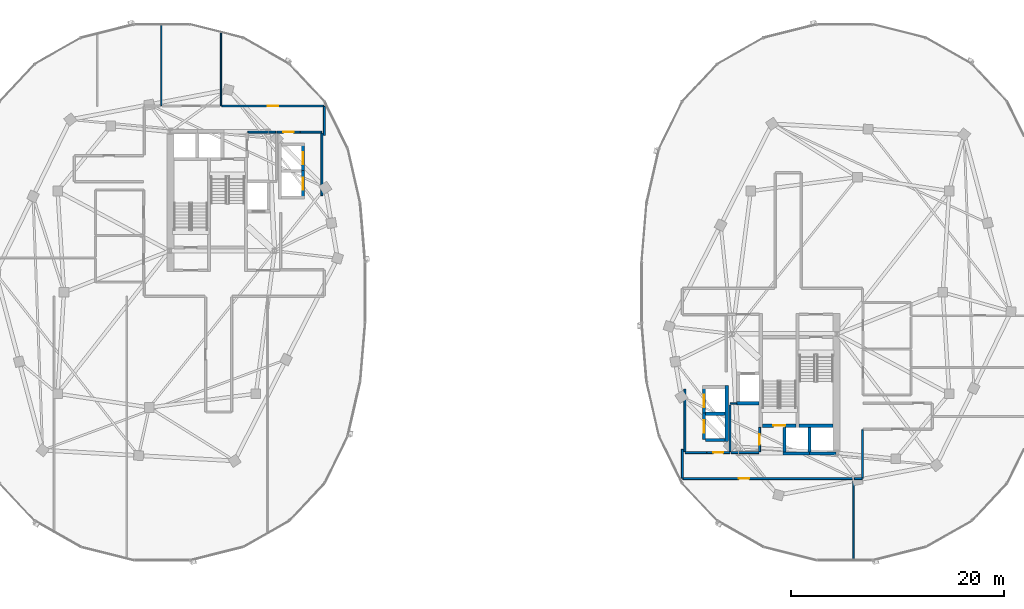
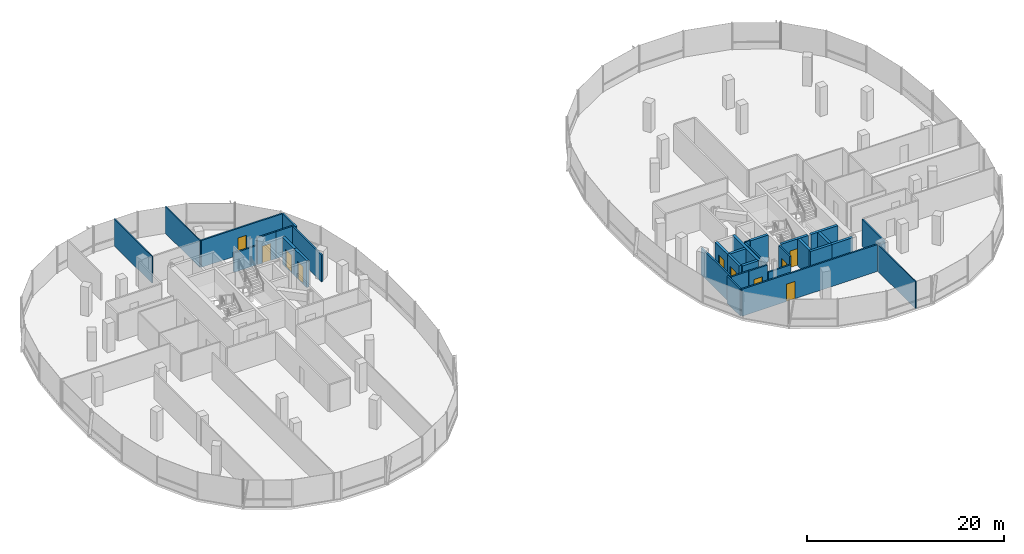
# One storey, part 16 of 25: 34 walls, 10 doors, 10 openings.
"""IFC4 building model written with IfcOpenShell, lengths in metres."""

from ifc_helpers import new_model, si_unit, direction, frame, frame_2d, origin, place, context, subcontext, project, spatial, rectangle, extrude, material, layer, layer_set, type_object, element, fill, save


model = new_model("IFC4")

# Units and contexts
model_context = context("Model", 3, precision=1e-05, world=origin(), true_north=direction((0.0, 1.0)))
body_context = subcontext(model_context, "Body", "Model", "MODEL_VIEW")
ifc_project = project(units=[si_unit("LENGTHUNIT", "METRE"), si_unit("AREAUNIT", "SQUARE_METRE"), si_unit("VOLUMEUNIT", "CUBIC_METRE"), si_unit("PLANEANGLEUNIT", "RADIAN"), si_unit("MASSUNIT", "GRAM", prefix="KILO"), si_unit("THERMODYNAMICTEMPERATUREUNIT", "KELVIN"), si_unit("POWERUNIT", "WATT")], contexts=[model_context])

# Site, building, storey
site_placement = place(None, origin())
site = spatial("IfcSite", under=ifc_project, at=site_placement, CompositionType="ELEMENT")
building_placement = place(site_placement, origin())
building = spatial("IfcBuilding", under=site, at=building_placement, Name="Cundina Bronze Exchange", CompositionType="ELEMENT")
storey_placement = place(building_placement, frame((0.0, 0.0, 191.800048828125)))
storey = spatial("IfcBuildingStorey", under=building, at=storey_placement, Name="L50", CompositionType="ELEMENT", Elevation=191.800048828125)

# Wall
ifc_material_1 = material(Name="Gypsum Fireboard Partition EI120")
ifc_layer_1 = layer(ifc_material_1, 0.179931640625, Name="Gypsum Fireboard Partition EI120")
ifc_layer_set_1 = layer_set([ifc_layer_1], Name="Gypsum Fireboard Partition EI120")
wall_type_1 = type_object("IfcWallType", Name="WL-COR-180", PredefinedType="PARTITIONING", material=ifc_layer_set_1)
wall_1_placement = place(storey_placement, frame((-17.02001953125, 9.070068359375, 0.0), z_axis=(0.0, 0.0, 1.0), x_axis=(0.0, 1.0, 0.0)))
element("IfcWall", 1, at=wall_1_placement, inside=storey, type_object=wall_type_1, Name="L50 Interior Partition 001", PredefinedType="PARTITIONING", context=body_context, shape_type="SweptSolid", body=[
    extrude(rectangle(XDim=5.85986328125, YDim=0.179931640625, at=frame_2d((2.929931640625, 0.0))), origin(), (0.0, 0.0, 1.0), 3.33984375),
])

# Wall, opening, door
wall_2_placement = place(storey_placement, frame((-21.22998046875, 15.030029296875, 0.0), z_axis=(0.0, 0.0, 1.0), x_axis=(1.0, 0.0, 0.0)))
wall_2 = element("IfcWall", 2, at=wall_2_placement, inside=storey, type_object=wall_type_1, Name="L50 Interior Partition 002", PredefinedType="PARTITIONING", context=body_context, shape_type="SweptSolid", body=[
    extrude(rectangle(XDim=2.159912109375, YDim=0.179931640625, at=frame_2d((1.080078125, 0.0))), origin(), (0.0, 0.0, 1.0), 3.33984375),
])
opening_1_placement = place(wall_2_placement, frame((0.60498046875, 0.0, 0.0)))
opening_1 = element("IfcOpeningElement", 3, at=opening_1_placement, cuts=wall_2, Name="Opening DW-01", PredefinedType="OPENING", context=body_context, shape_type="SweptSolid", body=[
    extrude(rectangle(XDim=0.949951171875, YDim=2.10009765625, at=frame_2d((0.47509765625, 1.050048828125))), frame((0.0, 0.099853515625, 0.0), z_axis=(0.0, -1.0, 0.0), x_axis=(1.0, 0.0, 0.0)), (0.0, 0.0, 1.0), 0.199951171875),
])
ifc_material_2 = material(Name="Solid Andean Oak Timber Grade A", Category="wood")
door_type_1 = type_object("IfcDoorType", Name="DR-WC-950", OperationType="NOTDEFINED", PredefinedType="DOOR", material=ifc_material_2)
door_1_placement = place(opening_1_placement, origin())
door_1 = element("IfcDoor", 4, at=door_1_placement, inside=storey, type_object=door_type_1, Name="L50 Interior Door 002", OperationType="SINGLE_SWING_LEFT", OverallHeight=2.10009765625, OverallWidth=0.949951171875, PredefinedType="DOOR", context=body_context, shape_type="SweptSolid", body=[
    extrude(rectangle(XDim=0.949951171875, YDim=2.10009765625, at=frame_2d((0.47509765625, 1.050048828125))), frame((0.0, 0.02490234375, 0.0), z_axis=(0.0, -1.0, 0.0), x_axis=(1.0, 0.0, 0.0)), (0.0, 0.0, 1.0), 0.050048828125),
])
fill(opening_1, door_1)

# Walls
wall_3_placement = place(storey_placement, frame((-19.030029296875, 15.030029296875, 0.0), z_axis=(0.0, 0.0, 1.0), x_axis=(1.0, 0.0, 0.0)))
element("IfcWall", 5, at=wall_3_placement, inside=storey, type_object=wall_type_1, Name="L50 Interior Partition 003", PredefinedType="PARTITIONING", context=body_context, shape_type="SweptSolid", body=[
    extrude(rectangle(XDim=1.989990234375, YDim=0.179931640625, at=frame_2d((0.9951171875, 0.0))), origin(), (0.0, 0.0, 1.0), 3.33984375),
])
wall_4_placement = place(storey_placement, frame((-23.9599609375, 15.030029296875, 0.0), z_axis=(0.0, 0.0, 1.0), x_axis=(1.0, 0.0, 0.0)))
element("IfcWall", 6, at=wall_4_placement, inside=storey, type_object=wall_type_1, Name="L50 Interior Partition 006", PredefinedType="PARTITIONING", context=body_context, shape_type="SweptSolid", body=[
    extrude(rectangle(XDim=2.60986328125, YDim=0.179931640625, at=frame_2d((1.304931640625, 0.0))), origin(), (0.0, 0.0, 1.0), 2.412841796875),
])

# Wall, opening, door
wall_5_placement = place(storey_placement, frame((-16.821533203125, 17.469970703125, 0.0), z_axis=(0.0, 0.0, 1.0), x_axis=(-1.0, 0.0, 0.0)))
wall_5 = element("IfcWall", 7, at=wall_5_placement, inside=storey, type_object=wall_type_1, Name="L50 Interior Partition 029", PredefinedType="PARTITIONING", context=body_context, shape_type="SweptSolid", body=[
    extrude(rectangle(XDim=9.568359375, YDim=0.179931640625, at=frame_2d((4.7841796875, 0.0))), origin(), (0.0, 0.0, 1.0), 3.33984375),
])
opening_2_placement = place(wall_5_placement, frame((4.2841796875, 0.0, 0.0)))
opening_2 = element("IfcOpeningElement", 8, at=opening_2_placement, cuts=wall_5, Name="Opening DO-01", PredefinedType="OPENING", context=body_context, shape_type="SweptSolid", body=[
    extrude(rectangle(XDim=1.0, YDim=2.14990234375, at=frame_2d((0.5, 1.074951171875))), frame((0.0, 0.099853515625, 0.0), z_axis=(0.0, -1.0, 0.0), x_axis=(1.0, 0.0, 0.0)), (0.0, 0.0, 1.0), 0.199951171875),
])
door_type_2 = type_object("IfcDoorType", Name="DR-OFF-1000", OperationType="NOTDEFINED", PredefinedType="DOOR", material=ifc_material_2)
door_2_placement = place(opening_2_placement, origin())
door_2 = element("IfcDoor", 9, at=door_2_placement, inside=storey, type_object=door_type_2, Name="L50 Interior Door 029", OperationType="SINGLE_SWING_RIGHT", OverallHeight=2.14990234375, OverallWidth=1.0, PredefinedType="DOOR", context=body_context, shape_type="SweptSolid", body=[
    extrude(rectangle(XDim=1.0, YDim=2.14990234375, at=frame_2d((0.5, 1.074951171875))), frame((0.0, 0.02490234375, 0.0), z_axis=(0.0, -1.0, 0.0), x_axis=(1.0, 0.0, 0.0)), (0.0, 0.0, 1.0), 0.050048828125),
])
fill(opening_2, door_2)

# Walls
wall_6_placement = place(storey_placement, frame((-16.780029296875, 14.721435546875, 0.0), z_axis=(0.0, 0.0, 1.0), x_axis=(0.0, 1.0, 0.0)))
element("IfcWall", 10, at=wall_6_placement, inside=storey, type_object=wall_type_1, Name="L50 Interior Partition 032", PredefinedType="PARTITIONING", context=body_context, shape_type="SweptSolid", body=[
    extrude(rectangle(XDim=2.70703125, YDim=0.179931640625, at=frame_2d((1.353515625, 0.0))), origin(), (0.0, 0.0, 1.0), 3.33984375),
])
wall_7_placement = place(storey_placement, frame((17.02001953125, -14.929931640625, 0.0), z_axis=(0.0, 0.0, 1.0), x_axis=(0.0, 1.0, 0.0)))
element("IfcWall", 11, at=wall_7_placement, inside=storey, type_object=wall_type_1, Name="L50 Interior Partition 040", PredefinedType="PARTITIONING", context=body_context, shape_type="SweptSolid", body=[
    extrude(rectangle(XDim=5.85986328125, YDim=0.179931640625, at=frame_2d((2.929931640625, 0.0))), origin(), (0.0, 0.0, 1.0), 3.33984375),
])
wall_8_placement = place(storey_placement, frame((17.0400390625, -15.030029296875, 0.0), z_axis=(0.0, 0.0, 1.0), x_axis=(1.0, 0.0, 0.0)))
element("IfcWall", 12, at=wall_8_placement, inside=storey, type_object=wall_type_1, Name="L50 Interior Partition 041", PredefinedType="PARTITIONING", context=body_context, shape_type="SweptSolid", body=[
    extrude(rectangle(XDim=1.989990234375, YDim=0.179931640625, at=frame_2d((0.9951171875, 0.0))), origin(), (0.0, 0.0, 1.0), 3.33984375),
])

# Wall, opening, door
wall_9_placement = place(storey_placement, frame((21.22998046875, -15.030029296875, 0.0), z_axis=(0.0, 0.0, 1.0), x_axis=(-1.0, 0.0, 0.0)))
wall_9 = element("IfcWall", 13, at=wall_9_placement, inside=storey, type_object=wall_type_1, Name="L50 Interior Partition 042", PredefinedType="PARTITIONING", context=body_context, shape_type="SweptSolid", body=[
    extrude(rectangle(XDim=2.159912109375, YDim=0.179931640625, at=frame_2d((1.080078125, 0.0))), origin(), (0.0, 0.0, 1.0), 3.33984375),
])
opening_3_placement = place(wall_9_placement, frame((0.60498046875, 0.0, 0.0)))
opening_3 = element("IfcOpeningElement", 14, at=opening_3_placement, cuts=wall_9, Name="Opening DW-01", PredefinedType="OPENING", context=body_context, shape_type="SweptSolid", body=[
    extrude(rectangle(XDim=0.949951171875, YDim=2.10009765625, at=frame_2d((0.47509765625, 1.050048828125))), frame((0.0, 0.099853515625, 0.0), z_axis=(0.0, -1.0, 0.0), x_axis=(1.0, 0.0, 0.0)), (0.0, 0.0, 1.0), 0.199951171875),
])
door_3_placement = place(opening_3_placement, origin())
door_3 = element("IfcDoor", 15, at=door_3_placement, inside=storey, type_object=door_type_1, Name="L50 Interior Door 042", OperationType="SINGLE_SWING_RIGHT", OverallHeight=2.10009765625, OverallWidth=0.949951171875, PredefinedType="DOOR", context=body_context, shape_type="SweptSolid", body=[
    extrude(rectangle(XDim=0.949951171875, YDim=2.10009765625, at=frame_2d((0.47509765625, 1.050048828125))), frame((0.0, 0.02490234375, 0.0), z_axis=(0.0, -1.0, 0.0), x_axis=(1.0, 0.0, 0.0)), (0.0, 0.0, 1.0), 0.050048828125),
])
fill(opening_3, door_3)

# Walls
wall_10_placement = place(storey_placement, frame((21.25, -14.929931640625, 0.0), z_axis=(0.0, 0.0, 1.0), x_axis=(0.0, 1.0, 0.0)))
element("IfcWall", 16, at=wall_10_placement, inside=storey, type_object=wall_type_1, Name="L50 Interior Partition 044", PredefinedType="PARTITIONING", context=body_context, shape_type="SweptSolid", body=[
    extrude(rectangle(XDim=4.35986328125, YDim=0.179931640625, at=frame_2d((2.179931640625, 0.0))), origin(), (0.0, 0.0, 1.0), 3.33984375),
])
wall_11_placement = place(storey_placement, frame((21.35009765625, -15.030029296875, 0.0), z_axis=(0.0, 0.0, 1.0), x_axis=(1.0, 0.0, 0.0)))
element("IfcWall", 17, at=wall_11_placement, inside=storey, type_object=wall_type_1, Name="L50 Interior Partition 045", PredefinedType="PARTITIONING", context=body_context, shape_type="SweptSolid", body=[
    extrude(rectangle(XDim=2.60986328125, YDim=0.179931640625, at=frame_2d((1.304931640625, 0.0))), origin(), (0.0, 0.0, 1.0), 2.412841796875),
])

# Wall, opening, door
wall_12_placement = place(storey_placement, frame((24.02001953125, -14.929931640625, 0.0), z_axis=(0.0, 0.0, 1.0), x_axis=(0.0, 1.0, 0.0)))
wall_12 = element("IfcWall", 18, at=wall_12_placement, inside=storey, type_object=wall_type_1, Name="L50 Interior Partition 046", PredefinedType="PARTITIONING", context=body_context, shape_type="SweptSolid", body=[
    extrude(rectangle(XDim=2.260009765625, YDim=0.179931640625, at=frame_2d((1.1298828125, 0.0))), origin(), (0.0, 0.0, 1.0), 3.33984375),
])
opening_4_placement = place(wall_12_placement, frame((0.655029296875, 0.0, 0.0)))
opening_4 = element("IfcOpeningElement", 19, at=opening_4_placement, cuts=wall_12, Name="Opening DW-01", PredefinedType="OPENING", context=body_context, shape_type="SweptSolid", body=[
    extrude(rectangle(XDim=0.949951171875, YDim=2.10009765625, at=frame_2d((0.47509765625, 1.050048828125))), frame((0.0, 0.099853515625, 0.0), z_axis=(0.0, -1.0, 0.0), x_axis=(1.0, 0.0, 0.0)), (0.0, 0.0, 1.0), 0.199951171875),
])
door_4_placement = place(opening_4_placement, origin())
door_4 = element("IfcDoor", 20, at=door_4_placement, inside=storey, type_object=door_type_1, Name="L50 Interior Door 046", OperationType="SINGLE_SWING_RIGHT", OverallHeight=2.10009765625, OverallWidth=0.949951171875, PredefinedType="DOOR", context=body_context, shape_type="SweptSolid", body=[
    extrude(rectangle(XDim=0.949951171875, YDim=2.10009765625, at=frame_2d((0.47509765625, 1.050048828125))), frame((0.0, 0.02490234375, 0.0), z_axis=(0.0, -1.0, 0.0), x_axis=(1.0, 0.0, 0.0)), (0.0, 0.0, 1.0), 0.050048828125),
])
fill(opening_4, door_4)

# Walls
wall_13_placement = place(storey_placement, frame((33.669921875, -17.428466796875, 0.0), z_axis=(0.0, 0.0, 1.0), x_axis=(0.0, 1.0, 0.0)))
element("IfcWall", 21, at=wall_13_placement, inside=storey, type_object=wall_type_1, Name="L50 Interior Partition 060", PredefinedType="PARTITIONING", context=body_context, shape_type="SweptSolid", body=[
    extrude(rectangle(XDim=4.528564453125, YDim=0.179931640625, at=frame_2d((2.26416015625, 0.0))), origin(), (0.0, 0.0, 1.0), 3.33984375),
])
wall_14_placement = place(storey_placement, frame((32.909912109375, -17.469970703125, 0.0), z_axis=(0.0, 0.0, 1.0), x_axis=(1.0, 0.0, 0.0)))
element("IfcWall", 22, at=wall_14_placement, inside=storey, type_object=wall_type_1, Name="L50 Interior Partition 062", PredefinedType="PARTITIONING", context=body_context, shape_type="SweptSolid", body=[
    extrude(rectangle(XDim=0.718505859375, YDim=0.179931640625, at=frame_2d((0.359375, 0.0))), origin(), (0.0, 0.0, 1.0), 3.33984375),
])

# Wall, opening, door
wall_15_placement = place(storey_placement, frame((16.821533203125, -17.469970703125, 0.0), z_axis=(0.0, 0.0, 1.0), x_axis=(1.0, 0.0, 0.0)))
wall_15 = element("IfcWall", 23, at=wall_15_placement, inside=storey, type_object=wall_type_1, Name="L50 Interior Partition 065", PredefinedType="PARTITIONING", context=body_context, shape_type="SweptSolid", body=[
    extrude(rectangle(XDim=15.908447265625, YDim=0.179931640625, at=frame_2d((7.9541015625, 0.0))), origin(), (0.0, 0.0, 1.0), 3.33984375),
])
opening_5_placement = place(wall_15_placement, frame((5.25390625, 0.0, 0.0)))
opening_5 = element("IfcOpeningElement", 24, at=opening_5_placement, cuts=wall_15, Name="Opening DO-01", PredefinedType="OPENING", context=body_context, shape_type="SweptSolid", body=[
    extrude(rectangle(XDim=1.0, YDim=2.14990234375, at=frame_2d((0.5, 1.074951171875))), frame((0.0, 0.099853515625, 0.0), z_axis=(0.0, -1.0, 0.0), x_axis=(1.0, 0.0, 0.0)), (0.0, 0.0, 1.0), 0.199951171875),
])
door_5_placement = place(opening_5_placement, origin())
door_5 = element("IfcDoor", 25, at=door_5_placement, inside=storey, type_object=door_type_2, Name="L50 Interior Door 065", OperationType="SINGLE_SWING_LEFT", OverallHeight=2.14990234375, OverallWidth=1.0, PredefinedType="DOOR", context=body_context, shape_type="SweptSolid", body=[
    extrude(rectangle(XDim=1.0, YDim=2.14990234375, at=frame_2d((0.5, 1.074951171875))), frame((0.0, 0.02490234375, 0.0), z_axis=(0.0, -1.0, 0.0), x_axis=(1.0, 0.0, 0.0)), (0.0, 0.0, 1.0), 0.050048828125),
])
fill(opening_5, door_5)

# Walls
wall_16_placement = place(storey_placement, frame((16.780029296875, -14.721435546875, 0.0), z_axis=(0.0, 0.0, 1.0), x_axis=(0.0, -1.0, 0.0)))
element("IfcWall", 26, at=wall_16_placement, inside=storey, type_object=wall_type_1, Name="L50 Interior Partition 071", PredefinedType="PARTITIONING", context=body_context, shape_type="SweptSolid", body=[
    extrude(rectangle(XDim=2.70703125, YDim=0.179931640625, at=frame_2d((1.353515625, 0.0))), origin(), (0.0, 0.0, 1.0), 3.33984375),
])
ifc_material_3 = material(Name="Gypsum Acoustic Partition EI60")
ifc_layer_2 = layer(ifc_material_3, 0.125, Name="Gypsum Acoustic Partition EI60")
ifc_layer_set_2 = layer_set([ifc_layer_2], Name="Gypsum Acoustic Partition EI60")
wall_type_2 = type_object("IfcWallType", Name="WL-OFF-125", PredefinedType="PARTITIONING", material=ifc_layer_set_2)
wall_17_placement = place(storey_placement, frame((-32.080078125, 17.5, 0.0), z_axis=(0.0, 0.0, 1.0), x_axis=(0.0, 1.0, 0.0)))
element("IfcWall", 27, at=wall_17_placement, inside=storey, type_object=wall_type_2, Name="L50 Interior Partition 021", PredefinedType="PARTITIONING", context=body_context, shape_type="SweptSolid", body=[
    extrude(rectangle(XDim=7.68994140625, YDim=0.125, at=frame_2d((3.844970703125, 0.0))), origin(), (0.0, 0.0, 1.0), 3.33984375),
])
wall_18_placement = place(storey_placement, frame((-26.47998046875, 17.5, 0.0), z_axis=(0.0, 0.0, 1.0), x_axis=(0.0, 1.0, 0.0)))
element("IfcWall", 28, at=wall_18_placement, inside=storey, type_object=wall_type_2, Name="L50 Interior Partition 022", PredefinedType="PARTITIONING", context=body_context, shape_type="SweptSolid", body=[
    extrude(rectangle(XDim=6.961181640625, YDim=0.125, at=frame_2d((3.48046875, 0.0))), origin(), (0.0, 0.0, 1.0), 3.33984375),
])
wall_19_placement = place(storey_placement, frame((32.820068359375, -25.18994140625, 0.0), z_axis=(0.0, 0.0, 1.0), x_axis=(0.0, 1.0, 0.0)))
element("IfcWall", 29, at=wall_19_placement, inside=storey, type_object=wall_type_2, Name="L50 Interior Partition 058", PredefinedType="PARTITIONING", context=body_context, shape_type="SweptSolid", body=[
    extrude(rectangle(XDim=7.68994140625, YDim=0.125, at=frame_2d((3.844970703125, 0.0))), origin(), (0.0, 0.0, 1.0), 3.33984375),
])

# Wall, opening, door
ifc_material_4 = material(Name="Concrete C50/60", Category="concrete")
ifc_layer_3 = layer(ifc_material_4, 0.300048828125, Name="Concrete C50/60", Category="concrete")
ifc_layer_set_3 = layer_set([ifc_layer_3], Name="Concrete C50/60")
wall_type_3 = type_object("IfcWallType", Name="WL-SHFT-300", PredefinedType="SHEAR", material=ifc_layer_set_3)
wall_20_placement = place(storey_placement, frame((-18.800048828125, 8.929931640625, 0.0), z_axis=(0.0, 0.0, 1.0), x_axis=(0.0, 1.0, 0.0)))
wall_20 = element("IfcWall", 30, at=wall_20_placement, inside=storey, type_object=wall_type_3, Name="L50 PM-W2 Hoistway Front Wall", PredefinedType="SHEAR", context=body_context, shape_type="SweptSolid", body=[
    extrude(rectangle(XDim=2.489990234375, YDim=0.300048828125, at=frame_2d((1.2451171875, 0.0))), origin(), (0.0, 0.0, 1.0), 3.33984375),
])
opening_6_placement = place(wall_20_placement, frame((0.669921875, 0.0, 0.0)))
opening_6 = element("IfcOpeningElement", 31, at=opening_6_placement, cuts=wall_20, Name="Opening LD-01", PredefinedType="OPENING", context=body_context, shape_type="SweptSolid", body=[
    extrude(rectangle(XDim=1.14990234375, YDim=2.199951171875, at=frame_2d((0.574951171875, 1.10009765625))), frame((0.0, 0.159912109375, 0.0), z_axis=(0.0, -1.0, 0.0), x_axis=(1.0, 0.0, 0.0)), (0.0, 0.0, 1.0), 0.320068359375),
])
ifc_material_5 = material(Name="Steel ASTM A36 Painted", Category="steel")
door_type_3 = type_object("IfcDoorType", Name="DR-LND-1150", OperationType="NOTDEFINED", PredefinedType="TRAPDOOR", material=ifc_material_5)
door_6_placement = place(opening_6_placement, origin())
door_6 = element("IfcDoor", 32, at=door_6_placement, inside=storey, type_object=door_type_3, Name="L50 PM-W2 Sliding Landing Door", OperationType="SLIDING_TO_LEFT", OverallHeight=2.199951171875, OverallWidth=1.14990234375, PredefinedType="TRAPDOOR", context=body_context, shape_type="SweptSolid", body=[
    extrude(rectangle(XDim=1.14990234375, YDim=2.199951171875, at=frame_2d((0.574951171875, 1.10009765625))), frame((0.0, 0.02490234375, 0.0), z_axis=(0.0, -1.0, 0.0), x_axis=(1.0, 0.0, 0.0)), (0.0, 0.0, 1.0), 0.050048828125),
])
fill(opening_6, door_6)

wall_21_placement = place(storey_placement, frame((-18.800048828125, 11.330078125, 0.0), z_axis=(0.0, 0.0, 1.0), x_axis=(0.0, 1.0, 0.0)))
wall_21 = element("IfcWall", 33, at=wall_21_placement, inside=storey, type_object=wall_type_3, Name="L50 PM-W1 Hoistway Front Wall", PredefinedType="SHEAR", context=body_context, shape_type="SweptSolid", body=[
    extrude(rectangle(XDim=2.489990234375, YDim=0.300048828125, at=frame_2d((1.2451171875, 0.0))), origin(), (0.0, 0.0, 1.0), 3.33984375),
])
opening_7_placement = place(wall_21_placement, frame((0.669921875, 0.0, 0.0)))
opening_7 = element("IfcOpeningElement", 34, at=opening_7_placement, cuts=wall_21, Name="Opening LD-01", PredefinedType="OPENING", context=body_context, shape_type="SweptSolid", body=[
    extrude(rectangle(XDim=1.14990234375, YDim=2.199951171875, at=frame_2d((0.574951171875, 1.10009765625))), frame((0.0, 0.159912109375, 0.0), z_axis=(0.0, -1.0, 0.0), x_axis=(1.0, 0.0, 0.0)), (0.0, 0.0, 1.0), 0.320068359375),
])
door_7_placement = place(opening_7_placement, origin())
door_7 = element("IfcDoor", 35, at=door_7_placement, inside=storey, type_object=door_type_3, Name="L50 PM-W1 Sliding Landing Door", OperationType="SLIDING_TO_LEFT", OverallHeight=2.199951171875, OverallWidth=1.14990234375, PredefinedType="TRAPDOOR", context=body_context, shape_type="SweptSolid", body=[
    extrude(rectangle(XDim=1.14990234375, YDim=2.199951171875, at=frame_2d((0.574951171875, 1.10009765625))), frame((0.0, 0.02490234375, 0.0), z_axis=(0.0, -1.0, 0.0), x_axis=(1.0, 0.0, 0.0)), (0.0, 0.0, 1.0), 0.050048828125),
])
fill(opening_7, door_7)

# Wall
wall_22_placement = place(storey_placement, frame((27.739990234375, -12.5, 0.0), z_axis=(0.0, 0.0, 1.0), x_axis=(1.0, 0.0, 0.0)))
element("IfcWall", 36, at=wall_22_placement, inside=storey, type_object=wall_type_3, Name="L50 Stair E1 Far Shaft Wall", PredefinedType="SHEAR", context=body_context, shape_type="SweptSolid", body=[
    extrude(rectangle(XDim=3.159912109375, YDim=0.300048828125, at=frame_2d((1.580078125, 0.0))), origin(), (0.0, 0.0, 1.0), 3.33984375),
])

# Wall, opening, door
wall_23_placement = place(storey_placement, frame((24.280029296875, -12.5, 0.0), z_axis=(0.0, 0.0, 1.0), x_axis=(1.0, 0.0, 0.0)))
wall_23 = element("IfcWall", 37, at=wall_23_placement, inside=storey, type_object=wall_type_3, Name="L50 Stair E2 Landing Wall", PredefinedType="SHEAR", context=body_context, shape_type="SweptSolid", body=[
    extrude(rectangle(XDim=3.159912109375, YDim=0.300048828125, at=frame_2d((1.580078125, 0.0))), origin(), (0.0, 0.0, 1.0), 3.33984375),
])
opening_8_placement = place(wall_23_placement, frame((1.030029296875, 0.0, 0.0)))
opening_8 = element("IfcOpeningElement", 38, at=opening_8_placement, cuts=wall_23, Name="Opening DS-01", PredefinedType="OPENING", context=body_context, shape_type="SweptSolid", body=[
    extrude(rectangle(XDim=1.10009765625, YDim=2.14990234375, at=frame_2d((0.550048828125, 1.074951171875))), frame((0.0, 0.159912109375, 0.0), z_axis=(0.0, -1.0, 0.0), x_axis=(1.0, 0.0, 0.0)), (0.0, 0.0, 1.0), 0.320068359375),
])
door_type_4 = type_object("IfcDoorType", Name="DR-STR-1100", OperationType="NOTDEFINED", PredefinedType="DOOR", material=ifc_material_5)
door_8_placement = place(opening_8_placement, origin())
door_8 = element("IfcDoor", 39, at=door_8_placement, inside=storey, type_object=door_type_4, Name="L50 Smokeproof Stair E2 Door", OperationType="SINGLE_SWING_RIGHT", OverallHeight=2.14990234375, OverallWidth=1.10009765625, PredefinedType="DOOR", context=body_context, shape_type="SweptSolid", body=[
    extrude(rectangle(XDim=1.10009765625, YDim=2.14990234375, at=frame_2d((0.550048828125, 1.074951171875))), frame((0.0, 0.02490234375, 0.0), z_axis=(0.0, -1.0, 0.0), x_axis=(1.0, 0.0, 0.0)), (0.0, 0.0, 1.0), 0.050048828125),
])
fill(opening_8, door_8)

# Walls
wall_24_placement = place(storey_placement, frame((21.8798828125, -10.39990234375, 0.0), z_axis=(0.0, 0.0, 1.0), x_axis=(1.0, 0.0, 0.0)))
element("IfcWall", 40, at=wall_24_placement, inside=storey, type_object=wall_type_3, Name="L50 FFL-E Hoistway Back Wall", PredefinedType="SHEAR", context=body_context, shape_type="SweptSolid", body=[
    extrude(rectangle(XDim=2.10009765625, YDim=0.300048828125, at=frame_2d((1.050048828125, 0.0))), origin(), (0.0, 0.0, 1.0), 3.33984375),
])
wall_25_placement = place(storey_placement, frame((28.699951171875, -15.10009765625, 0.0), z_axis=(0.0, 0.0, 1.0), x_axis=(1.0, 0.0, 0.0)))
element("IfcWall", 41, at=wall_25_placement, inside=storey, type_object=wall_type_3, Name="L50 PH-E1 Hoistway Front Wall", PredefinedType="SHEAR", context=body_context, shape_type="SweptSolid", body=[
    extrude(rectangle(XDim=2.5, YDim=0.300048828125, at=frame_2d((1.25, 0.0))), origin(), (0.0, 0.0, 1.0), 3.33984375),
])
wall_26_placement = place(storey_placement, frame((28.699951171875, -14.949951171875, 0.0), z_axis=(0.0, 0.0, 1.0), x_axis=(0.0, 1.0, 0.0)))
element("IfcWall", 42, at=wall_26_placement, inside=storey, type_object=wall_type_3, Name="L50 PH-E1 Hoistway Divider Wall", PredefinedType="SHEAR", context=body_context, shape_type="SweptSolid", body=[
    extrude(rectangle(XDim=2.300048828125, YDim=0.300048828125, at=frame_2d((1.14990234375, 0.0))), origin(), (0.0, 0.0, 1.0), 3.33984375),
])
wall_27_placement = place(storey_placement, frame((26.199951171875, -15.10009765625, 0.0), z_axis=(0.0, 0.0, 1.0), x_axis=(1.0, 0.0, 0.0)))
element("IfcWall", 43, at=wall_27_placement, inside=storey, type_object=wall_type_3, Name="L50 PH-E2 Hoistway Front Wall", PredefinedType="SHEAR", context=body_context, shape_type="SweptSolid", body=[
    extrude(rectangle(XDim=2.5, YDim=0.300048828125, at=frame_2d((1.25, 0.0))), origin(), (0.0, 0.0, 1.0), 3.33984375),
])
wall_28_placement = place(storey_placement, frame((26.35009765625, -14.949951171875, 0.0), z_axis=(0.0, 0.0, 1.0), x_axis=(0.0, 1.0, 0.0)))
element("IfcWall", 44, at=wall_28_placement, inside=storey, type_object=wall_type_3, Name="L50 PH-E2 Hoistway Divider Wall", PredefinedType="SHEAR", context=body_context, shape_type="SweptSolid", body=[
    extrude(rectangle(XDim=2.300048828125, YDim=0.300048828125, at=frame_2d((1.14990234375, 0.0))), origin(), (0.0, 0.0, 1.0), 3.33984375),
])
wall_29_placement = place(storey_placement, frame((20.949951171875, -14.0, 0.0), z_axis=(0.0, 0.0, 1.0), x_axis=(0.0, 1.0, 0.0)))
element("IfcWall", 45, at=wall_29_placement, inside=storey, type_object=wall_type_3, Name="L50 E Passenger Bank Hoistway Back Wall", PredefinedType="SHEAR", context=body_context, shape_type="SweptSolid", body=[
    extrude(rectangle(XDim=5.25, YDim=0.300048828125, at=frame_2d((2.625, 0.0))), origin(), (0.0, 0.0, 1.0), 3.33984375),
])
for number, where, z_axis, x_axis, name in (
    (46, (18.949951171875, -13.85009765625, 0.0), (0.0, 0.0, 1.0), (1.0, 0.0, 0.0), "L50 E Passenger Bank South Cap Wall"),
    (47, (18.949951171875, -11.375, 0.0), (0.0, 0.0, 1.0), (1.0, 0.0, 0.0), "L50 E Passenger Hoistway Divider 1"),
):
    element("IfcWall", number, at=place(storey_placement, frame(where, z_axis=z_axis, x_axis=x_axis)), inside=storey, type_object=wall_type_3, Name=name, PredefinedType="SHEAR", context=body_context, shape_type="SweptSolid", body=[
        extrude(rectangle(XDim=1.85009765625, YDim=0.300048828125, at=frame_2d((0.925048828125, 0.0))), origin(), (0.0, 0.0, 1.0), 3.33984375),
    ])

# Wall, opening, door
wall_30_placement = place(storey_placement, frame((18.800048828125, -13.820068359375, 0.0), z_axis=(0.0, 0.0, 1.0), x_axis=(0.0, 1.0, 0.0)))
wall_30 = element("IfcWall", 48, at=wall_30_placement, inside=storey, type_object=wall_type_3, Name="L50 PM-E1 Hoistway Front Wall", PredefinedType="SHEAR", context=body_context, shape_type="SweptSolid", body=[
    extrude(rectangle(XDim=2.489990234375, YDim=0.300048828125, at=frame_2d((1.2451171875, 0.0))), origin(), (0.0, 0.0, 1.0), 3.33984375),
])
opening_9_placement = place(wall_30_placement, frame((0.669921875, 0.0, 0.0)))
opening_9 = element("IfcOpeningElement", 49, at=opening_9_placement, cuts=wall_30, Name="Opening LD-01", PredefinedType="OPENING", context=body_context, shape_type="SweptSolid", body=[
    extrude(rectangle(XDim=1.14990234375, YDim=2.199951171875, at=frame_2d((0.574951171875, 1.10009765625))), frame((0.0, 0.159912109375, 0.0), z_axis=(0.0, -1.0, 0.0), x_axis=(1.0, 0.0, 0.0)), (0.0, 0.0, 1.0), 0.320068359375),
])
door_9_placement = place(opening_9_placement, origin())
door_9 = element("IfcDoor", 50, at=door_9_placement, inside=storey, type_object=door_type_3, Name="L50 PM-E1 Sliding Landing Door", OperationType="SLIDING_TO_LEFT", OverallHeight=2.199951171875, OverallWidth=1.14990234375, PredefinedType="TRAPDOOR", context=body_context, shape_type="SweptSolid", body=[
    extrude(rectangle(XDim=1.14990234375, YDim=2.199951171875, at=frame_2d((0.574951171875, 1.10009765625))), frame((0.0, 0.02490234375, 0.0), z_axis=(0.0, -1.0, 0.0), x_axis=(1.0, 0.0, 0.0)), (0.0, 0.0, 1.0), 0.050048828125),
])
fill(opening_9, door_9)

wall_31_placement = place(storey_placement, frame((18.800048828125, -11.419921875, 0.0), z_axis=(0.0, 0.0, 1.0), x_axis=(0.0, 1.0, 0.0)))
wall_31 = element("IfcWall", 51, at=wall_31_placement, inside=storey, type_object=wall_type_3, Name="L50 PM-E2 Hoistway Front Wall", PredefinedType="SHEAR", context=body_context, shape_type="SweptSolid", body=[
    extrude(rectangle(XDim=2.489990234375, YDim=0.300048828125, at=frame_2d((1.2451171875, 0.0))), origin(), (0.0, 0.0, 1.0), 3.33984375),
])
opening_10_placement = place(wall_31_placement, frame((0.669921875, 0.0, 0.0)))
opening_10 = element("IfcOpeningElement", 52, at=opening_10_placement, cuts=wall_31, Name="Opening LD-01", PredefinedType="OPENING", context=body_context, shape_type="SweptSolid", body=[
    extrude(rectangle(XDim=1.14990234375, YDim=2.199951171875, at=frame_2d((0.574951171875, 1.10009765625))), frame((0.0, 0.159912109375, 0.0), z_axis=(0.0, -1.0, 0.0), x_axis=(1.0, 0.0, 0.0)), (0.0, 0.0, 1.0), 0.320068359375),
])
door_10_placement = place(opening_10_placement, origin())
door_10 = element("IfcDoor", 53, at=door_10_placement, inside=storey, type_object=door_type_3, Name="L50 PM-E2 Sliding Landing Door", OperationType="SLIDING_TO_LEFT", OverallHeight=2.199951171875, OverallWidth=1.14990234375, PredefinedType="TRAPDOOR", context=body_context, shape_type="SweptSolid", body=[
    extrude(rectangle(XDim=1.14990234375, YDim=2.199951171875, at=frame_2d((0.574951171875, 1.10009765625))), frame((0.0, 0.02490234375, 0.0), z_axis=(0.0, -1.0, 0.0), x_axis=(1.0, 0.0, 0.0)), (0.0, 0.0, 1.0), 0.050048828125),
])
fill(opening_10, door_10)

# Wall
ifc_material_6 = material(Name="Moisture-Resistant Masonry Block Grade M15", Category="masonry")
ifc_layer_4 = layer(ifc_material_6, 0.139892578125, Name="Moisture-Resistant Masonry Block Grade M15", Category="masonry")
ifc_layer_set_4 = layer_set([ifc_layer_4], Name="Moisture-Resistant Masonry Block Grade M15")
wall_type_4 = type_object("IfcWallType", Name="WL-WET-140", PredefinedType="PARTITIONING", material=ifc_layer_set_4)
wall_32_placement = place(storey_placement, frame((21.27001953125, -10.39990234375, 0.0), z_axis=(0.0, 0.0, 1.0), x_axis=(1.0, 0.0, 0.0)))
element("IfcWall", 54, at=wall_32_placement, inside=storey, type_object=wall_type_4, Name="L50 Interior Partition 043", PredefinedType="PARTITIONING", context=body_context, shape_type="SweptSolid", body=[
    extrude(rectangle(XDim=0.590087890625, YDim=0.139892578125, at=frame_2d((0.294921875, 0.0))), origin(), (0.0, 0.0, 1.0), 3.33984375),
])

save(model, "model.ifc")
